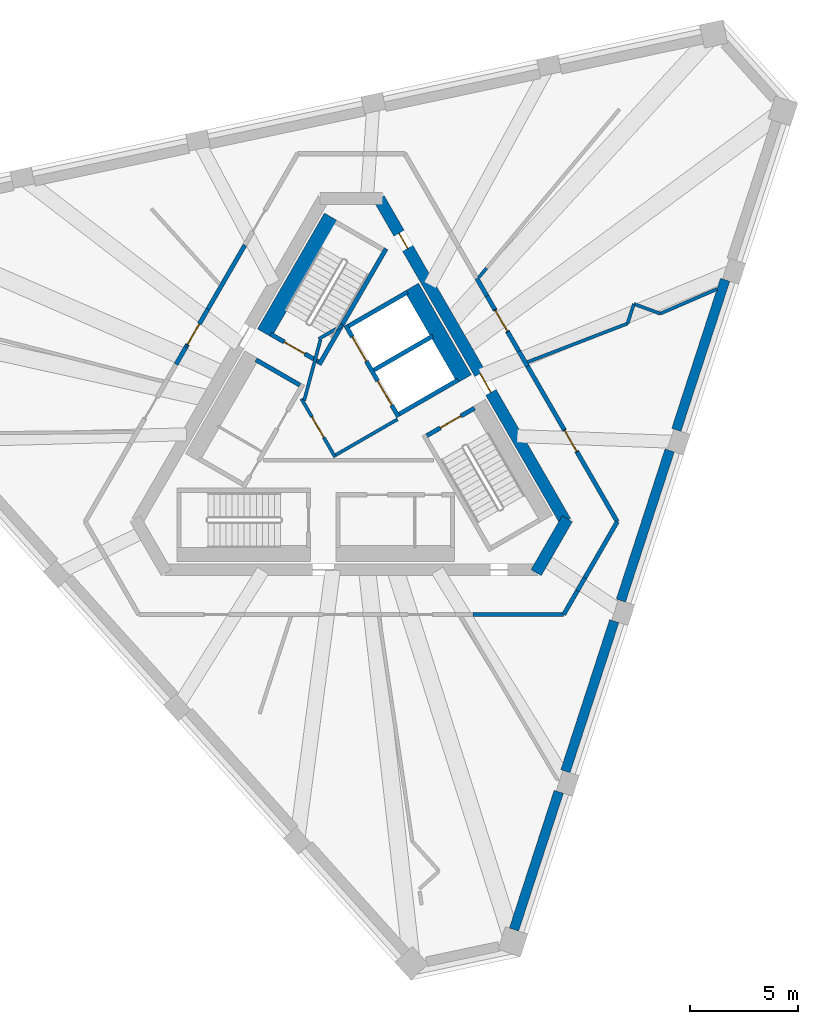
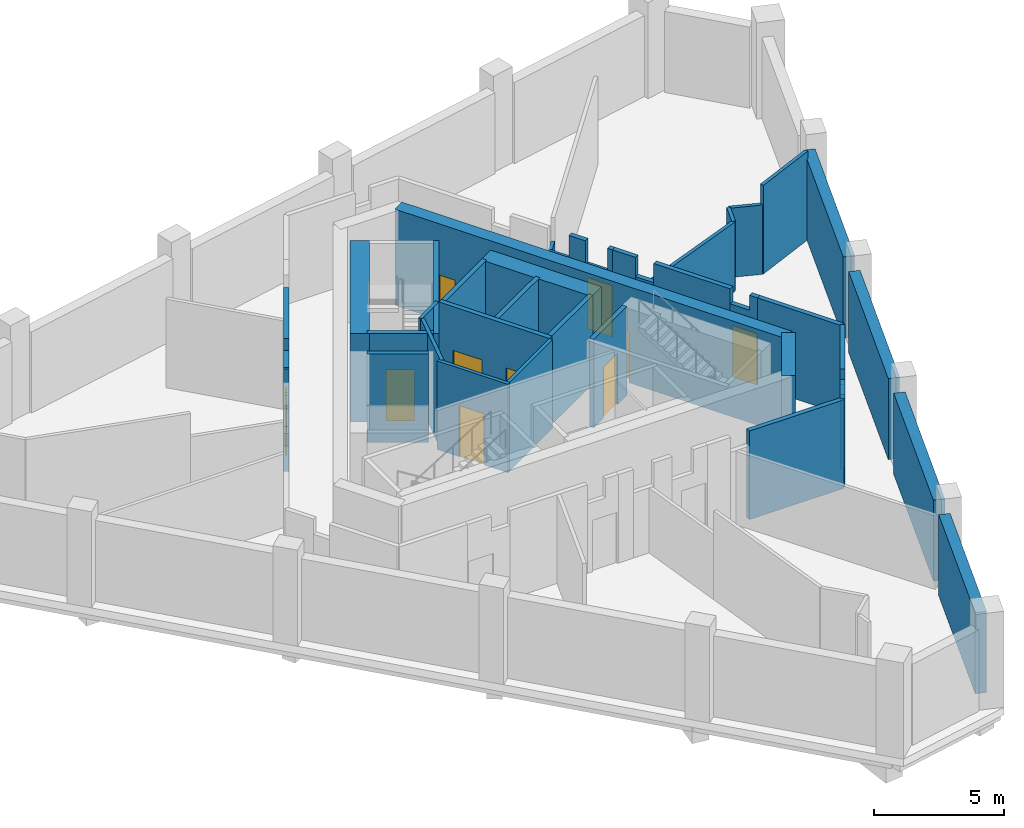
# One storey, part 3 of 5: 41 walls, 10 doors, 10 openings.
"""IFC4 building model written with IfcOpenShell, lengths in metres."""

from ifc_helpers import new_model, si_unit, direction, frame, frame_2d, origin, place, context, subcontext, project, spatial, polyline, rectangle, outline, extrude, material, layer, layer_set, type_object, element, fill, save


model = new_model("IFC4")

# Units and contexts
model_context = context("Model", 3, precision=1e-05, world=origin(), true_north=direction((0.0, 1.0)))
body_context = subcontext(model_context, "Body", "Model", "MODEL_VIEW")
ifc_project = project(units=[si_unit("LENGTHUNIT", "METRE"), si_unit("AREAUNIT", "SQUARE_METRE"), si_unit("VOLUMEUNIT", "CUBIC_METRE"), si_unit("PLANEANGLEUNIT", "RADIAN"), si_unit("MASSUNIT", "GRAM", prefix="KILO")], contexts=[model_context])

# Site, building, storey
site_placement = place(None, origin())
site = spatial("IfcSite", under=ifc_project, at=site_placement, CompositionType="ELEMENT")
building_placement = place(site_placement, origin())
building = spatial("IfcBuilding", under=site, at=building_placement, Name="Tramontana Tower", CompositionType="ELEMENT")
storey_placement = place(building_placement, frame((0.0, 0.0, 365.89990234375)))
storey = spatial("IfcBuildingStorey", under=building, at=storey_placement, Name="L84", CompositionType="ELEMENT", Elevation=365.89990234375)

# Wall
ifc_material_1 = material(Name="Concrete 70 MPa", Category="concrete")
ifc_layer_1 = layer(ifc_material_1, 0.550048828125)
ifc_layer_set_1 = layer_set([ifc_layer_1], Name="Core wall 550 70 MPa")
wall_type_1 = type_object("IfcWallType", Name="Core wall 550 70 MPa", PredefinedType="SHEAR", material=ifc_layer_set_1)
wall_1_placement = place(storey_placement, frame((8.56640625, -6.612548828125, 0.0), z_axis=(0.0, 0.0, 1.0), x_axis=(0.499995765644, 0.866027848477, 0.0)))
element("IfcWall", 1, at=wall_1_placement, inside=storey, type_object=wall_type_1, Name="Core wall C4 L84", PredefinedType="SHEAR", context=body_context, shape_type="SweptSolid", body=[
    extrude(rectangle(XDim=2.88671875, YDim=0.550048828125, at=frame_2d((1.443359375, 0.0))), origin(), (0.0, 0.0, 1.0), 4.5),
])

# Wall, openings, doors
wall_2_placement = place(storey_placement, frame((9.930419921875, -4.25, 0.0), z_axis=(0.0, 0.0, 1.0), x_axis=(-0.499994590896, 0.86602852671, 0.0)))
wall_2 = element("IfcWall", 2, at=wall_2_placement, inside=storey, type_object=wall_type_1, Name="Core wall C5 L84", PredefinedType="SHEAR", context=body_context, shape_type="SweptSolid", body=[
    extrude(rectangle(XDim=17.291748046875, YDim=0.550048828125, at=frame_2d((8.64599609375, 0.0))), origin(), (0.0, 0.0, 1.0), 4.5),
])
opening_1_placement = place(wall_2_placement, frame((6.9208984375, 0.0, 0.0)))
opening_1 = element("IfcOpeningElement", 3, at=opening_1_placement, cuts=wall_2, Name="Opening RG3", PredefinedType="OPENING", context=body_context, shape_type="SweptSolid", body=[
    extrude(rectangle(XDim=1.0, YDim=2.39990234375, at=frame_2d((0.5, 1.199951171875))), frame((0.0, 0.284912109375, 0.0), z_axis=(0.0, -1.0, 0.0), x_axis=(1.0, 0.0, 0.0)), (0.0, 0.0, 1.0), 0.570068359375),
])
opening_2_placement = place(wall_2_placement, frame((14.625732421875, 0.0, 0.0)))
opening_2 = element("IfcOpeningElement", 4, at=opening_2_placement, cuts=wall_2, Name="Opening PD3", PredefinedType="OPENING", context=body_context, shape_type="SweptSolid", body=[
    extrude(rectangle(XDim=0.800048828125, YDim=2.10009765625, at=frame_2d((0.39990234375, 1.050048828125))), frame((0.0, 0.284912109375, 0.0), z_axis=(0.0, -1.0, 0.0), x_axis=(1.0, 0.0, 0.0)), (0.0, 0.0, 1.0), 0.570068359375),
])
ifc_material_2 = material(Name="Painted steel", Category="steel")
door_type_1 = type_object("IfcDoorType", Name="CUPBOARD DOOR 800", OperationType="SINGLE_SWING_LEFT", PredefinedType="DOOR", material=ifc_material_2)
door_1_placement = place(opening_2_placement, origin())
door_1 = element("IfcDoor", 5, at=door_1_placement, inside=storey, type_object=door_type_1, Name="Door PD3", OperationType="SINGLE_SWING_RIGHT", OverallHeight=2.10009765625, OverallWidth=0.800048828125, PredefinedType="DOOR", context=body_context, shape_type="SweptSolid", body=[
    extrude(rectangle(XDim=0.800048828125, YDim=2.10009765625, at=frame_2d((0.39990234375, 1.050048828125))), frame((0.0, 0.02490234375, 0.0), z_axis=(0.0, -1.0, 0.0), x_axis=(1.0, 0.0, 0.0)), (0.0, 0.0, 1.0), 0.050048828125),
])
fill(opening_2, door_1)
ifc_material_3 = material(Name="Painted steel", Category="steel")
door_type_2 = type_object("IfcDoorType", Name="RING DOOR 1000", OperationType="SINGLE_SWING_LEFT", PredefinedType="DOOR", material=ifc_material_3)
door_2_placement = place(opening_1_placement, origin())
door_2 = element("IfcDoor", 6, at=door_2_placement, inside=storey, type_object=door_type_2, Name="Door RG3", OperationType="SINGLE_SWING_RIGHT", OverallHeight=2.39990234375, OverallWidth=1.0, PredefinedType="DOOR", context=body_context, shape_type="SweptSolid", body=[
    extrude(rectangle(XDim=1.0, YDim=2.39990234375, at=frame_2d((0.5, 1.199951171875))), frame((0.0, 0.02490234375, 0.0), z_axis=(0.0, -1.0, 0.0), x_axis=(1.0, 0.0, 0.0)), (0.0, 0.0, 1.0), 0.050048828125),
])
fill(opening_1, door_2)

# Walls
ifc_material_4 = material(Name="Blockwork", Category="masonry")
ifc_layer_2 = layer(ifc_material_4, 0.199951171875)
ifc_layer_set_2 = layer_set([ifc_layer_2], Name="ENTRY WALL 200")
wall_type_2 = type_object("IfcWallType", Name="ENTRY WALL 200", PredefinedType="SOLIDWALL", material=ifc_layer_set_2)
wall_3_placement = place(storey_placement, frame((12.326416015625, -4.25, 0.0), z_axis=(0.0, 0.0, 1.0), x_axis=(-0.500003959331, -0.866023117852, 0.0)))
element("IfcWall", 7, at=wall_3_placement, inside=storey, type_object=wall_type_2, Name="Wall ew0-0", PredefinedType="SOLIDWALL", context=body_context, shape_type="SweptSolid", body=[
    extrude(rectangle(XDim=3.0029296875, YDim=0.199951171875, at=frame_2d((1.50146484375, 0.0))), origin(), (0.0, 0.0, 1.0), 4.150146484375),
])
wall_4_placement = place(storey_placement, frame((10.824951171875, -6.8505859375, 0.0), z_axis=(0.0, 0.0, 1.0), x_axis=(-0.500144223137, -0.865942120504, 0.0)))
element("IfcWall", 8, at=wall_4_placement, inside=storey, type_object=wall_type_2, Name="Wall ew0-1", PredefinedType="SOLIDWALL", context=body_context, shape_type="SweptSolid", body=[
    extrude(rectangle(XDim=0.701416015625, YDim=0.199951171875, at=frame_2d((0.3505859375, 0.0))), origin(), (0.0, 0.0, 1.0), 3.4501953125),
])
wall_5_placement = place(storey_placement, frame((10.47412109375, -7.4580078125, 0.0), z_axis=(0.0, 0.0, 1.0), x_axis=(-0.499929168788, -0.866066294342, 0.0)))
element("IfcWall", 9, at=wall_5_placement, inside=storey, type_object=wall_type_2, Name="Wall ew0-2", PredefinedType="SOLIDWALL", context=body_context, shape_type="SweptSolid", body=[
    extrude(rectangle(XDim=1.260986328125, YDim=0.199951171875, at=frame_2d((0.63037109375, 0.0))), origin(), (0.0, 0.0, 1.0), 4.150146484375),
])
wall_6_placement = place(storey_placement, frame((9.84375, -8.550048828125, 0.0), z_axis=(0.0, 0.0, 1.0), x_axis=(-1.0, 0.0, 0.0)))
element("IfcWall", 10, at=wall_6_placement, inside=storey, type_object=wall_type_2, Name="Wall ew1-0", PredefinedType="SOLIDWALL", context=body_context, shape_type="SweptSolid", body=[
    extrude(rectangle(XDim=4.1943359375, YDim=0.199951171875, at=frame_2d((2.09716796875, 0.0))), origin(), (0.0, 0.0, 1.0), 4.150146484375),
])
wall_7_placement = place(storey_placement, frame((-8.11572265625, 3.043212890625, 0.0), z_axis=(0.0, 0.0, 1.0), x_axis=(0.499994660107, 0.866028486751, 0.0)))
element("IfcWall", 11, at=wall_7_placement, inside=storey, type_object=wall_type_2, Name="Wall ew3-5", PredefinedType="SOLIDWALL", context=body_context, shape_type="SweptSolid", body=[
    extrude(rectangle(XDim=0.90576171875, YDim=0.199951171875, at=frame_2d((0.452880859375, 0.0))), origin(), (0.0, 0.0, 1.0), 3.050048828125),
])
wall_8_placement = place(storey_placement, frame((-7.662841796875, 3.82763671875, 0.0), z_axis=(0.0, 0.0, 1.0), x_axis=(0.500240224089, 0.865886665912, 0.0)))
element("IfcWall", 12, at=wall_8_placement, inside=storey, type_object=wall_type_2, Name="Wall ew3-6", PredefinedType="SOLIDWALL", context=body_context, shape_type="SweptSolid", body=[
    extrude(rectangle(XDim=0.10888671875, YDim=0.199951171875, at=frame_2d((0.054443359375, 0.0))), origin(), (0.0, 0.0, 1.0), 4.150146484375),
])

# Wall, opening, door
wall_9_placement = place(storey_placement, frame((-7.6083984375, 3.921875, 0.0), z_axis=(0.0, 0.0, 1.0), x_axis=(0.500017114798, 0.866015522326, 0.0)))
wall_9 = element("IfcWall", 13, at=wall_9_placement, inside=storey, type_object=wall_type_2, Name="Wall ew3-7", PredefinedType="SOLIDWALL", context=body_context, shape_type="SweptSolid", body=[
    extrude(outline(polyline([(0.0, 0.0), (1.9365234375, 0.0), (1.936279296875, 3.25), (1.12939453125, 3.25), (1.12939453125, 4.150146484375), (0.0, 4.150146484375), (0.0, 0.0)])), frame((0.0, 0.10009765625, 0.0), z_axis=(0.0, -1.0, 0.0), x_axis=(1.0, 0.0, 0.0)), (0.0, 0.0, 1.0), 0.199951171875),
])
opening_3_placement = place(wall_9_placement, frame((0.050048828125, 0.0, 0.0)))
opening_3 = element("IfcOpeningElement", 14, at=opening_3_placement, cuts=wall_9, Name="Opening L84-03", PredefinedType="OPENING", context=body_context, shape_type="SweptSolid", body=[
    extrude(rectangle(XDim=1.10009765625, YDim=2.39990234375, at=frame_2d((0.550048828125, 1.199951171875))), frame((0.0, 0.10986328125, 0.0), z_axis=(0.0, -1.0, 0.0), x_axis=(1.0, 0.0, 0.0)), (0.0, 0.0, 1.0), 0.219970703125),
])
ifc_material_5 = material(Name="Painted timber", Category="wood")
door_type_3 = type_object("IfcDoorType", Name="DOOR ENTRY 1100", OperationType="SINGLE_SWING_LEFT", PredefinedType="DOOR", material=ifc_material_5)
door_3_placement = place(opening_3_placement, origin())
door_3 = element("IfcDoor", 15, at=door_3_placement, inside=storey, type_object=door_type_3, Name="Door L84-03", OperationType="SINGLE_SWING_LEFT", OverallHeight=2.39990234375, OverallWidth=1.10009765625, PredefinedType="DOOR", context=body_context, shape_type="SweptSolid", body=[
    extrude(rectangle(XDim=1.10009765625, YDim=2.39990234375, at=frame_2d((0.550048828125, 1.199951171875))), frame((0.0, 0.02490234375, 0.0), z_axis=(0.0, -1.0, 0.0), x_axis=(1.0, 0.0, 0.0)), (0.0, 0.0, 1.0), 0.050048828125),
])
fill(opening_3, door_3)

# Walls
wall_10_placement = place(storey_placement, frame((-6.64013671875, 5.598876953125, 0.0), z_axis=(0.0, 0.0, 1.0), x_axis=(0.499989998285, 0.8660311782, 0.0)))
element("IfcWall", 16, at=wall_10_placement, inside=storey, type_object=wall_type_2, Name="Wall ew3-8", PredefinedType="SOLIDWALL", context=body_context, shape_type="SweptSolid", body=[
    extrude(rectangle(XDim=3.4228515625, YDim=0.199951171875, at=frame_2d((1.71142578125, 0.0))), origin(), (0.0, 0.0, 1.0), 4.150146484375),
])
wall_11_placement = place(storey_placement, frame((5.818115234375, 7.022705078125, 0.0), z_axis=(0.0, 0.0, 1.0), x_axis=(0.500006071987, -0.866021898093, 0.0)))
element("IfcWall", 17, at=wall_11_placement, inside=storey, type_object=wall_type_2, Name="Wall ew5-3", PredefinedType="SOLIDWALL", context=body_context, shape_type="SweptSolid", body=[
    extrude(rectangle(XDim=0.94384765625, YDim=0.199951171875, at=frame_2d((0.471923828125, 0.0))), origin(), (0.0, 0.0, 1.0), 3.050048828125),
])
wall_12_placement = place(storey_placement, frame((6.2900390625, 6.205322265625, 0.0), z_axis=(0.0, 0.0, 1.0), x_axis=(0.500042431503, -0.866000904559, 0.0)))
element("IfcWall", 18, at=wall_12_placement, inside=storey, type_object=wall_type_2, Name="Wall ew5-4", PredefinedType="SOLIDWALL", context=body_context, shape_type="SweptSolid", body=[
    extrude(rectangle(XDim=0.7265625, YDim=0.199951171875, at=frame_2d((0.36328125, 0.0))), origin(), (0.0, 0.0, 1.0), 4.150146484375),
])

# Wall, opening, door
wall_13_placement = place(storey_placement, frame((6.6533203125, 5.576171875, 0.0), z_axis=(0.0, 0.0, 1.0), x_axis=(0.499880961361, -0.866094119867, 0.0)))
wall_13 = element("IfcWall", 19, at=wall_13_placement, inside=storey, type_object=wall_type_2, Name="Wall ew5-5", PredefinedType="SOLIDWALL", context=body_context, shape_type="SweptSolid", body=[
    extrude(outline(polyline([(0.0, 0.0), (1.199951171875, 0.0), (1.199951171875, 4.150146484375), (0.986083984375, 4.150146484375), (0.986083984375, 3.050048828125), (0.0, 3.050048828125), (0.0, 0.0)])), frame((0.0, 0.10009765625, 0.0), z_axis=(0.0, -1.0, 0.0), x_axis=(1.0, 0.0, 0.0)), (0.0, 0.0, 1.0), 0.199951171875),
])
opening_4_placement = place(wall_13_placement, frame((0.050048828125, 0.0, 0.0)))
opening_4 = element("IfcOpeningElement", 20, at=opening_4_placement, cuts=wall_13, Name="Opening L84-01", PredefinedType="OPENING", context=body_context, shape_type="SweptSolid", body=[
    extrude(rectangle(XDim=1.10009765625, YDim=2.39990234375, at=frame_2d((0.550048828125, 1.199951171875))), frame((0.0, 0.10986328125, 0.0), z_axis=(0.0, -1.0, 0.0), x_axis=(1.0, 0.0, 0.0)), (0.0, 0.0, 1.0), 0.219970703125),
])
door_4_placement = place(opening_4_placement, origin())
door_4 = element("IfcDoor", 21, at=door_4_placement, inside=storey, type_object=door_type_3, Name="Door L84-01", OperationType="SINGLE_SWING_LEFT", OverallHeight=2.39990234375, OverallWidth=1.10009765625, PredefinedType="DOOR", context=body_context, shape_type="SweptSolid", body=[
    extrude(rectangle(XDim=1.10009765625, YDim=2.39990234375, at=frame_2d((0.550048828125, 1.199951171875))), frame((0.0, 0.02490234375, 0.0), z_axis=(0.0, -1.0, 0.0), x_axis=(1.0, 0.0, 0.0)), (0.0, 0.0, 1.0), 0.050048828125),
])
fill(opening_4, door_4)

# Walls
wall_14_placement = place(storey_placement, frame((7.253173828125, 4.536865234375, 0.0), z_axis=(0.0, 0.0, 1.0), x_axis=(0.500086965421, -0.865975188453, 0.0)))
element("IfcWall", 22, at=wall_14_placement, inside=storey, type_object=wall_type_2, Name="Wall ew5-6", PredefinedType="SOLIDWALL", context=body_context, shape_type="SweptSolid", body=[
    extrude(rectangle(XDim=1.024169921875, YDim=0.199951171875, at=frame_2d((0.51220703125, 0.0))), origin(), (0.0, 0.0, 1.0), 4.150146484375),
])
wall_15_placement = place(storey_placement, frame((7.765380859375, 3.64990234375, 0.0), z_axis=(0.0, 0.0, 1.0), x_axis=(0.500141487433, -0.865943700565, 0.0)))
element("IfcWall", 23, at=wall_15_placement, inside=storey, type_object=wall_type_2, Name="Wall ew5-7", PredefinedType="SOLIDWALL", context=body_context, shape_type="SweptSolid", body=[
    extrude(rectangle(XDim=0.806884765625, YDim=0.199951171875, at=frame_2d((0.4033203125, 0.0))), origin(), (0.0, 0.0, 1.0), 3.25),
])
wall_16_placement = place(storey_placement, frame((8.1689453125, 2.951171875, 0.0), z_axis=(0.0, 0.0, 1.0), x_axis=(0.499955030392, -0.866051365443, 0.0)))
element("IfcWall", 24, at=wall_16_placement, inside=storey, type_object=wall_type_2, Name="Wall ew5-8", PredefinedType="SOLIDWALL", context=body_context, shape_type="SweptSolid", body=[
    extrude(rectangle(XDim=3.392333984375, YDim=0.199951171875, at=frame_2d((1.6962890625, 0.0))), origin(), (0.0, 0.0, 1.0), 4.150146484375),
])

# Wall, opening, door
wall_17_placement = place(storey_placement, frame((9.864990234375, 0.01318359375, 0.0), z_axis=(0.0, 0.0, 1.0), x_axis=(0.50012165622, -0.865955154139, 0.0)))
wall_17 = element("IfcWall", 25, at=wall_17_placement, inside=storey, type_object=wall_type_2, Name="Wall ew5-9", PredefinedType="SOLIDWALL", context=body_context, shape_type="SweptSolid", body=[
    extrude(outline(polyline([(0.0, 0.0), (1.199951171875, 0.0), (1.199951171875, 4.150146484375), (0.85693359375, 4.150146484375), (0.85693359375, 3.4501953125), (0.0, 3.4501953125), (0.0, 0.0)])), frame((0.0, 0.10009765625, 0.0), z_axis=(0.0, -1.0, 0.0), x_axis=(1.0, 0.0, 0.0)), (0.0, 0.0, 1.0), 0.199951171875),
])
opening_5_placement = place(wall_17_placement, frame((0.050048828125, 0.0, 0.0)))
opening_5 = element("IfcOpeningElement", 26, at=opening_5_placement, cuts=wall_17, Name="Opening L84-08", PredefinedType="OPENING", context=body_context, shape_type="SweptSolid", body=[
    extrude(rectangle(XDim=1.10009765625, YDim=2.39990234375, at=frame_2d((0.550048828125, 1.199951171875))), frame((0.0, 0.10986328125, 0.0), z_axis=(0.0, -1.0, 0.0), x_axis=(1.0, 0.0, 0.0)), (0.0, 0.0, 1.0), 0.219970703125),
])
door_5_placement = place(opening_5_placement, origin())
door_5 = element("IfcDoor", 27, at=door_5_placement, inside=storey, type_object=door_type_3, Name="Door L84-08", OperationType="SINGLE_SWING_RIGHT", OverallHeight=2.39990234375, OverallWidth=1.10009765625, PredefinedType="DOOR", context=body_context, shape_type="SweptSolid", body=[
    extrude(rectangle(XDim=1.10009765625, YDim=2.39990234375, at=frame_2d((0.550048828125, 1.199951171875))), frame((0.0, 0.02490234375, 0.0), z_axis=(0.0, -1.0, 0.0), x_axis=(1.0, 0.0, 0.0)), (0.0, 0.0, 1.0), 0.050048828125),
])
fill(opening_5, door_5)

# Walls
wall_18_placement = place(storey_placement, frame((10.465087890625, -1.02587890625, 0.0), z_axis=(0.0, 0.0, 1.0), x_axis=(0.499976014784, -0.866039251212, 0.0)))
element("IfcWall", 28, at=wall_18_placement, inside=storey, type_object=wall_type_2, Name="Wall ew5-10", PredefinedType="SOLIDWALL", context=body_context, shape_type="SweptSolid", body=[
    extrude(rectangle(XDim=3.722900390625, YDim=0.199951171875, at=frame_2d((1.861328125, 0.0))), origin(), (0.0, 0.0, 1.0), 4.150146484375),
])
ifc_material_6 = material(Name="Precast concrete 60 MPa", Category="concrete")
ifc_layer_3 = layer(ifc_material_6, 0.449951171875)
ifc_layer_set_3 = layer_set([ifc_layer_3], Name="Precast concrete 60 MPa, 450 mm")
wall_type_3 = type_object("IfcWallType", Name="EW1 Stone-faced precast wall 450", PredefinedType="SOLIDWALL", material=ifc_layer_set_3)
wall_19_placement = place(storey_placement, frame((7.541015625, -23.14794921875, 0.0), z_axis=(0.0, 0.0, 1.0), x_axis=(0.309018647645, 0.951055979114, 0.0)))
element("IfcWall", 29, at=wall_19_placement, inside=storey, type_object=wall_type_3, Name="Stone band wall L84 face 1s 1", PredefinedType="SOLIDWALL", context=body_context, shape_type="SweptSolid", body=[
    extrude(rectangle(XDim=6.7138671875, YDim=0.449951171875, at=frame_2d((3.35693359375, 0.0))), origin(), (0.0, 0.0, 1.0), 3.800048828125),
])
for number, where, z_axis, x_axis, name in (
    (30, (9.9248046875, -15.8115234375, 0.0), (0.0, 0.0, 1.0), (0.309008326872, 0.951059332494, 0.0), "Stone band wall L84 face 1s 2"),
    (31, (12.493896484375, -7.904541015625, 0.0), (0.0, 0.0, 1.0), (0.309008326872, 0.951059332494, 0.0), "Stone band wall L84 face 1s 3"),
    (32, (15.06298828125, 0.00244140625, 0.0), (0.0, 0.0, 1.0), (0.309008326872, 0.951059332494, 0.0), "Stone band wall L84 face 1s 4"),
):
    element("IfcWall", number, at=place(storey_placement, frame(where, z_axis=z_axis, x_axis=x_axis)), inside=storey, type_object=wall_type_3, Name=name, PredefinedType="SOLIDWALL", context=body_context, shape_type="SweptSolid", body=[
        extrude(rectangle(XDim=7.313720703125, YDim=0.449951171875, at=frame_2d((3.65673828125, 0.0))), origin(), (0.0, 0.0, 1.0), 3.800048828125),
    ])

# Wall, opening, door
ifc_material_7 = material(Name="Gypsum board partition")
ifc_layer_4 = layer(ifc_material_7, 0.14990234375)
ifc_layer_set_4 = layer_set([ifc_layer_4], Name="PARTITION 150")
wall_type_4 = type_object("IfcWallType", Name="PARTITION 150", PredefinedType="PARTITIONING", material=ifc_layer_set_4)
wall_20_placement = place(storey_placement, frame((-0.744140625, -1.260986328125, 0.0), z_axis=(0.0, 0.0, 1.0), x_axis=(-0.500004234368, 0.866022959057, 0.0)))
wall_20 = element("IfcWall", 33, at=wall_20_placement, inside=storey, type_object=wall_type_4, Name="Wall ff-front", PredefinedType="PARTITIONING", context=body_context, shape_type="SweptSolid", body=[
    extrude(rectangle(XDim=3.125, YDim=0.14990234375, at=frame_2d((1.5625, 0.0))), origin(), (0.0, 0.0, 1.0), 4.150146484375),
])
opening_6_placement = place(wall_20_placement, frame((1.050048828125, 0.0, 0.0)))
opening_6 = element("IfcOpeningElement", 34, at=opening_6_placement, cuts=wall_20, Name="Opening FD1", PredefinedType="OPENING", context=body_context, shape_type="SweptSolid", body=[
    extrude(rectangle(XDim=1.10009765625, YDim=2.39990234375, at=frame_2d((0.550048828125, 1.199951171875))), frame((0.0, 0.0849609375, 0.0), z_axis=(0.0, -1.0, 0.0), x_axis=(1.0, 0.0, 0.0)), (0.0, 0.0, 1.0), 0.169921875),
])
door_6_placement = place(opening_6_placement, origin())
door_6 = element("IfcDoor", 35, at=door_6_placement, inside=storey, type_object=door_type_3, Name="Door FD1", OperationType="SINGLE_SWING_LEFT", OverallHeight=2.39990234375, OverallWidth=1.10009765625, PredefinedType="DOOR", context=body_context, shape_type="SweptSolid", body=[
    extrude(rectangle(XDim=1.10009765625, YDim=2.39990234375, at=frame_2d((0.550048828125, 1.199951171875))), frame((0.0, 0.02490234375, 0.0), z_axis=(0.0, -1.0, 0.0), x_axis=(1.0, 0.0, 0.0)), (0.0, 0.0, 1.0), 0.050048828125),
])
fill(opening_6, door_6)

# Walls
wall_21_placement = place(storey_placement, frame((-0.716796875, -1.15869140625, 0.0), z_axis=(0.0, 0.0, 1.0), x_axis=(0.866008176907, 0.50002983664, 0.0)))
element("IfcWall", 36, at=wall_21_placement, inside=storey, type_object=wall_type_4, Name="Wall ff-end0", PredefinedType="PARTITIONING", context=body_context, shape_type="SweptSolid", body=[
    extrude(rectangle(XDim=3.300048828125, YDim=0.14990234375, at=frame_2d((1.64990234375, 0.0))), origin(), (0.0, 0.0, 1.0), 4.150146484375),
])
wall_22_placement = place(storey_placement, frame((-2.177978515625, 1.372314453125, 0.0), z_axis=(0.0, 0.0, 1.0), x_axis=(0.258808958833, 0.96592852884, 0.0)))
element("IfcWall", 37, at=wall_22_placement, inside=storey, type_object=wall_type_4, Name="Wall ff-diag", PredefinedType="PARTITIONING", context=body_context, shape_type="SweptSolid", body=[
    extrude(rectangle(XDim=2.902587890625, YDim=0.14990234375, at=frame_2d((1.451171875, 0.0))), origin(), (0.0, 0.0, 1.0), 4.150146484375),
])
wall_23_placement = place(storey_placement, frame((-1.509765625, 4.21484375, 0.0), z_axis=(0.0, 0.0, 1.0), x_axis=(0.866085525409, 0.49989585183, 0.0)))
element("IfcWall", 38, at=wall_23_placement, inside=storey, type_object=wall_type_4, Name="Wall ff-end1", PredefinedType="PARTITIONING", context=body_context, shape_type="SweptSolid", body=[
    extrude(rectangle(XDim=1.300048828125, YDim=0.14990234375, at=frame_2d((0.64990234375, 0.0))), origin(), (0.0, 0.0, 1.0), 4.150146484375),
])
wall_24_placement = place(storey_placement, frame((5.90869140625, 7.06591796875, 0.0), z_axis=(0.0, 0.0, 1.0), x_axis=(0.641462458468, 0.767154426681, 0.0)))
element("IfcWall", 39, at=wall_24_placement, inside=storey, type_object=wall_type_4, Name="Wall fw-pw13-0", PredefinedType="PARTITIONING", context=body_context, shape_type="SweptSolid", body=[
    extrude(rectangle(XDim=0.563232421875, YDim=0.14990234375, at=frame_2d((0.28173828125, 0.0))), origin(), (0.0, 0.0, 1.0), 3.050048828125),
])
wall_25_placement = place(storey_placement, frame((12.7998046875, 4.93017578125, 0.0), z_axis=(0.0, 0.0, 1.0), x_axis=(-0.933162813033, -0.359453980884, 0.0)))
element("IfcWall", 40, at=wall_25_placement, inside=storey, type_object=wall_type_4, Name="Wall fw-pw15-0", PredefinedType="PARTITIONING", context=body_context, shape_type="SweptSolid", body=[
    extrude(rectangle(XDim=4.960205078125, YDim=0.14990234375, at=frame_2d((2.47998046875, 0.0))), origin(), (0.0, 0.0, 1.0), 3.25),
])
wall_26_placement = place(storey_placement, frame((13.094482421875, 5.8369140625, 0.0), z_axis=(0.0, 0.0, 1.0), x_axis=(-0.309074492062, -0.951037832243, 0.0)))
element("IfcWall", 41, at=wall_26_placement, inside=storey, type_object=wall_type_4, Name="Wall fw-pw16-0", PredefinedType="PARTITIONING", context=body_context, shape_type="SweptSolid", body=[
    extrude(rectangle(XDim=0.953369140625, YDim=0.14990234375, at=frame_2d((0.4765625, 0.0))), origin(), (0.0, 0.0, 1.0), 3.25),
])
wall_27_placement = place(storey_placement, frame((14.316162109375, 5.389404296875, 0.0), z_axis=(0.0, 0.0, 1.0), x_axis=(-0.938458564783, 0.345391838621, 0.0)))
element("IfcWall", 42, at=wall_27_placement, inside=storey, type_object=wall_type_4, Name="Wall fw-pw17-0", PredefinedType="PARTITIONING", context=body_context, shape_type="SweptSolid", body=[
    extrude(rectangle(XDim=1.299072265625, YDim=0.14990234375, at=frame_2d((0.6494140625, 0.0))), origin(), (0.0, 0.0, 1.0), 3.25),
])
wall_28_placement = place(storey_placement, frame((16.9462890625, 6.52734375, 0.0), z_axis=(0.0, 0.0, 1.0), x_axis=(-0.917782364591, -0.397083783659, 0.0)))
element("IfcWall", 43, at=wall_28_placement, inside=storey, type_object=wall_type_4, Name="Wall fw-pw18", PredefinedType="PARTITIONING", context=body_context, shape_type="SweptSolid", body=[
    extrude(rectangle(XDim=2.86572265625, YDim=0.14990234375, at=frame_2d((1.432861328125, 0.0))), origin(), (0.0, 0.0, 1.0), 4.150146484375),
])
ifc_material_8 = material(Name="Concrete 70 MPa", Category="concrete")
ifc_layer_5 = layer(ifc_material_8, 0.75)
ifc_layer_set_5 = layer_set([ifc_layer_5], Name="Concrete 70 MPa, 750 mm")
wall_type_5 = type_object("IfcWallType", Name="RC SHAFT BACK WALL 750", PredefinedType="SOLIDWALL", material=ifc_layer_set_5)
wall_29_placement = place(storey_placement, frame((-0.91796875, 9.85986328125, 0.0), z_axis=(0.0, 0.0, 1.0), x_axis=(-0.500026960575, -0.86600983753, 0.0)))
element("IfcWall", 44, at=wall_29_placement, inside=storey, type_object=wall_type_5, Name="Wall st1-back", PredefinedType="SOLIDWALL", context=body_context, shape_type="SweptSolid", body=[
    extrude(rectangle(XDim=6.199951171875, YDim=0.75, at=frame_2d((3.10009765625, 0.0))), origin(), (0.0, 0.0, 1.0), 4.150146484375),
])
wall_30_placement = place(storey_placement, frame((5.242919921875, 2.368896484375, 0.0), z_axis=(0.0, 0.0, 1.0), x_axis=(-0.500002801628, 0.866023786258, 0.0)))
element("IfcWall", 45, at=wall_30_placement, inside=storey, type_object=wall_type_5, Name="Wall row2-back", PredefinedType="SOLIDWALL", context=body_context, shape_type="SweptSolid", body=[
    extrude(rectangle(XDim=4.89990234375, YDim=0.75, at=frame_2d((2.449951171875, 0.0))), origin(), (0.0, 0.0, 1.0), 4.150146484375),
])
ifc_material_9 = material(Name="Concrete 70 MPa", Category="concrete")
ifc_layer_6 = layer(ifc_material_9, 0.199951171875)
ifc_layer_set_6 = layer_set([ifc_layer_6], Name="Concrete 70 MPa, 200 mm")
wall_type_6 = type_object("IfcWallType", Name="RC STAIR AND SHAFT WALL 200", PredefinedType="SOLIDWALL", material=ifc_layer_set_6)
wall_31_placement = place(storey_placement, frame((1.615234375, 8.3974609375, 0.0), z_axis=(0.0, 0.0, 1.0), x_axis=(-0.500009909098, -0.866019682689, 0.0)))
element("IfcWall", 46, at=wall_31_placement, inside=storey, type_object=wall_type_6, Name="Wall st1-front", PredefinedType="SOLIDWALL", context=body_context, shape_type="SweptSolid", body=[
    extrude(rectangle(XDim=6.199951171875, YDim=0.199951171875, at=frame_2d((3.10009765625, 0.0))), origin(), (0.0, 0.0, 1.0), 4.150146484375),
])

# Wall, opening, door
wall_32_placement = place(storey_placement, frame((-1.521484375, 3.164794921875, 0.0), z_axis=(0.0, 0.0, 1.0), x_axis=(-0.866030925526, 0.499990435942, 0.0)))
wall_32 = element("IfcWall", 47, at=wall_32_placement, inside=storey, type_object=wall_type_6, Name="Wall st1-near", PredefinedType="SOLIDWALL", context=body_context, shape_type="SweptSolid", body=[
    extrude(rectangle(XDim=2.5498046875, YDim=0.199951171875, at=frame_2d((1.27490234375, 0.0))), origin(), (0.0, 0.0, 1.0), 4.150146484375),
])
opening_7_placement = place(wall_32_placement, frame((0.72509765625, 0.0, 0.0)))
opening_7 = element("IfcOpeningElement", 48, at=opening_7_placement, cuts=wall_32, Name="Opening SD1", PredefinedType="OPENING", context=body_context, shape_type="SweptSolid", body=[
    extrude(rectangle(XDim=1.10009765625, YDim=2.39990234375, at=frame_2d((0.550048828125, 1.199951171875))), frame((0.0, 0.10986328125, 0.0), z_axis=(0.0, -1.0, 0.0), x_axis=(1.0, 0.0, 0.0)), (0.0, 0.0, 1.0), 0.219970703125),
])
ifc_material_10 = material(Name="Painted steel", Category="steel")
door_type_4 = type_object("IfcDoorType", Name="STAIR DOOR 1100", OperationType="SINGLE_SWING_LEFT", PredefinedType="DOOR", material=ifc_material_10)
door_7_placement = place(opening_7_placement, origin())
door_7 = element("IfcDoor", 49, at=door_7_placement, inside=storey, type_object=door_type_4, Name="Door SD1", OperationType="SINGLE_SWING_RIGHT", OverallHeight=2.39990234375, OverallWidth=1.10009765625, PredefinedType="DOOR", context=body_context, shape_type="SweptSolid", body=[
    extrude(rectangle(XDim=1.10009765625, YDim=2.39990234375, at=frame_2d((0.550048828125, 1.199951171875))), frame((0.0, 0.02490234375, 0.0), z_axis=(0.0, -1.0, 0.0), x_axis=(1.0, 0.0, 0.0)), (0.0, 0.0, 1.0), 0.050048828125),
])
fill(opening_7, door_7)

wall_33_placement = place(storey_placement, frame((3.50146484375, -0.2646484375, 0.0), z_axis=(0.0, 0.0, 1.0), x_axis=(0.866030925526, 0.499990435942, 0.0)))
wall_33 = element("IfcWall", 50, at=wall_33_placement, inside=storey, type_object=wall_type_6, Name="Wall st3-near", PredefinedType="SOLIDWALL", context=body_context, shape_type="SweptSolid", body=[
    extrude(rectangle(XDim=2.5498046875, YDim=0.199951171875, at=frame_2d((1.27490234375, 0.0))), origin(), (0.0, 0.0, 1.0), 4.150146484375),
])
opening_8_placement = place(wall_33_placement, frame((0.72509765625, 0.0, 0.0)))
opening_8 = element("IfcOpeningElement", 51, at=opening_8_placement, cuts=wall_33, Name="Opening SD3", PredefinedType="OPENING", context=body_context, shape_type="SweptSolid", body=[
    extrude(rectangle(XDim=1.10009765625, YDim=2.39990234375, at=frame_2d((0.550048828125, 1.199951171875))), frame((0.0, 0.10986328125, 0.0), z_axis=(0.0, -1.0, 0.0), x_axis=(1.0, 0.0, 0.0)), (0.0, 0.0, 1.0), 0.219970703125),
])
door_8_placement = place(opening_8_placement, origin())
door_8 = element("IfcDoor", 52, at=door_8_placement, inside=storey, type_object=door_type_4, Name="Door SD3", OperationType="SINGLE_SWING_RIGHT", OverallHeight=2.39990234375, OverallWidth=1.10009765625, PredefinedType="DOOR", context=body_context, shape_type="SweptSolid", body=[
    extrude(rectangle(XDim=1.10009765625, YDim=2.39990234375, at=frame_2d((0.550048828125, 1.199951171875))), frame((0.0, 0.02490234375, 0.0), z_axis=(0.0, -1.0, 0.0), x_axis=(1.0, 0.0, 0.0)), (0.0, 0.0, 1.0), 0.050048828125),
])
fill(opening_8, door_8)

# Wall
wall_34_placement = place(storey_placement, frame((-2.379638671875, 2.078369140625, 0.0), z_axis=(0.0, 0.0, 1.0), x_axis=(-0.866061024631, 0.499938297808, 0.0)))
element("IfcWall", 53, at=wall_34_placement, inside=storey, type_object=wall_type_6, Name="Wall row0-side0", PredefinedType="SOLIDWALL", context=body_context, shape_type="SweptSolid", body=[
    extrude(rectangle(XDim=2.349853515625, YDim=0.199951171875, at=frame_2d((1.1748046875, 0.0))), origin(), (0.0, 0.0, 1.0), 4.150146484375),
])

# Wall, openings, doors
wall_35_placement = place(storey_placement, frame((2.190185546875, 0.6064453125, 0.0), z_axis=(0.0, 0.0, 1.0), x_axis=(-0.500002801628, 0.866023786258, 0.0)))
wall_35 = element("IfcWall", 54, at=wall_35_placement, inside=storey, type_object=wall_type_6, Name="Wall row2-front", PredefinedType="SOLIDWALL", context=body_context, shape_type="SweptSolid", body=[
    extrude(rectangle(XDim=4.89990234375, YDim=0.199951171875, at=frame_2d((2.449951171875, 0.0))), origin(), (0.0, 0.0, 1.0), 4.150146484375),
])
opening_9_placement = place(wall_35_placement, frame((0.625, 0.0, 0.0)))
opening_9 = element("IfcOpeningElement", 55, at=opening_9_placement, cuts=wall_35, Name="Opening LD-F1", PredefinedType="OPENING", context=body_context, shape_type="SweptSolid", body=[
    extrude(rectangle(XDim=1.300048828125, YDim=2.10009765625, at=frame_2d((0.64990234375, 1.050048828125))), frame((0.0, 0.10986328125, 0.0), z_axis=(0.0, -1.0, 0.0), x_axis=(1.0, 0.0, 0.0)), (0.0, 0.0, 1.0), 0.219970703125),
])
opening_10_placement = place(wall_35_placement, frame((2.97509765625, 0.0, 0.0)))
opening_10 = element("IfcOpeningElement", 56, at=opening_10_placement, cuts=wall_35, Name="Opening LD-F2", PredefinedType="OPENING", context=body_context, shape_type="SweptSolid", body=[
    extrude(rectangle(XDim=1.300048828125, YDim=2.10009765625, at=frame_2d((0.64990234375, 1.050048828125))), frame((0.0, 0.10986328125, 0.0), z_axis=(0.0, -1.0, 0.0), x_axis=(1.0, 0.0, 0.0)), (0.0, 0.0, 1.0), 0.219970703125),
])
ifc_material_11 = material(Name="Brushed steel", Category="steel")
door_type_5 = type_object("IfcDoorType", Name="LANDING DOOR 1300", OperationType="SINGLE_SWING_LEFT", PredefinedType="DOOR", material=ifc_material_11)
door_9_placement = place(opening_9_placement, origin())
door_9 = element("IfcDoor", 57, at=door_9_placement, inside=storey, type_object=door_type_5, Name="Door LD-F1", OperationType="SLIDING_TO_LEFT", OverallHeight=2.10009765625, OverallWidth=1.300048828125, PredefinedType="DOOR", context=body_context, shape_type="SweptSolid", body=[
    extrude(rectangle(XDim=1.300048828125, YDim=2.10009765625, at=frame_2d((0.64990234375, 1.050048828125))), frame((0.0, 0.02490234375, 0.0), z_axis=(0.0, -1.0, 0.0), x_axis=(1.0, 0.0, 0.0)), (0.0, 0.0, 1.0), 0.050048828125),
])
fill(opening_9, door_9)
door_10_placement = place(opening_10_placement, origin())
door_10 = element("IfcDoor", 58, at=door_10_placement, inside=storey, type_object=door_type_5, Name="Door LD-F2", OperationType="SLIDING_TO_RIGHT", OverallHeight=2.10009765625, OverallWidth=1.300048828125, PredefinedType="DOOR", context=body_context, shape_type="SweptSolid", body=[
    extrude(rectangle(XDim=1.300048828125, YDim=2.10009765625, at=frame_2d((0.64990234375, 1.050048828125))), frame((0.0, 0.02490234375, 0.0), z_axis=(0.0, -1.0, 0.0), x_axis=(1.0, 0.0, 0.0)), (0.0, 0.0, 1.0), 0.050048828125),
])
fill(opening_10, door_10)

# Walls
for number, where, z_axis, x_axis, name in (
    (59, (2.226806640625, 0.742919921875, 0.0), (0.0, 0.0, 1.0), (0.866035871367, 0.499981869177, 0.0), "Wall row2-side0"),
    (60, (1.0517578125, 2.778076171875, 0.0), (0.0, 0.0, 1.0), (0.866035871367, 0.499981869177, 0.0), "Wall row2-side1"),
    (61, (-0.123046875, 4.813232421875, 0.0), (0.0, 0.0, 1.0), (0.866016494683, 0.500015430699, 0.0), "Wall row2-side2"),
):
    element("IfcWall", number, at=place(storey_placement, frame(where, z_axis=z_axis, x_axis=x_axis)), inside=storey, type_object=wall_type_6, Name=name, PredefinedType="SOLIDWALL", context=body_context, shape_type="SweptSolid", body=[
        extrude(rectangle(XDim=3.14990234375, YDim=0.199951171875, at=frame_2d((1.574951171875, 0.0))), origin(), (0.0, 0.0, 1.0), 4.150146484375),
    ])

save(model, "model.ifc")
